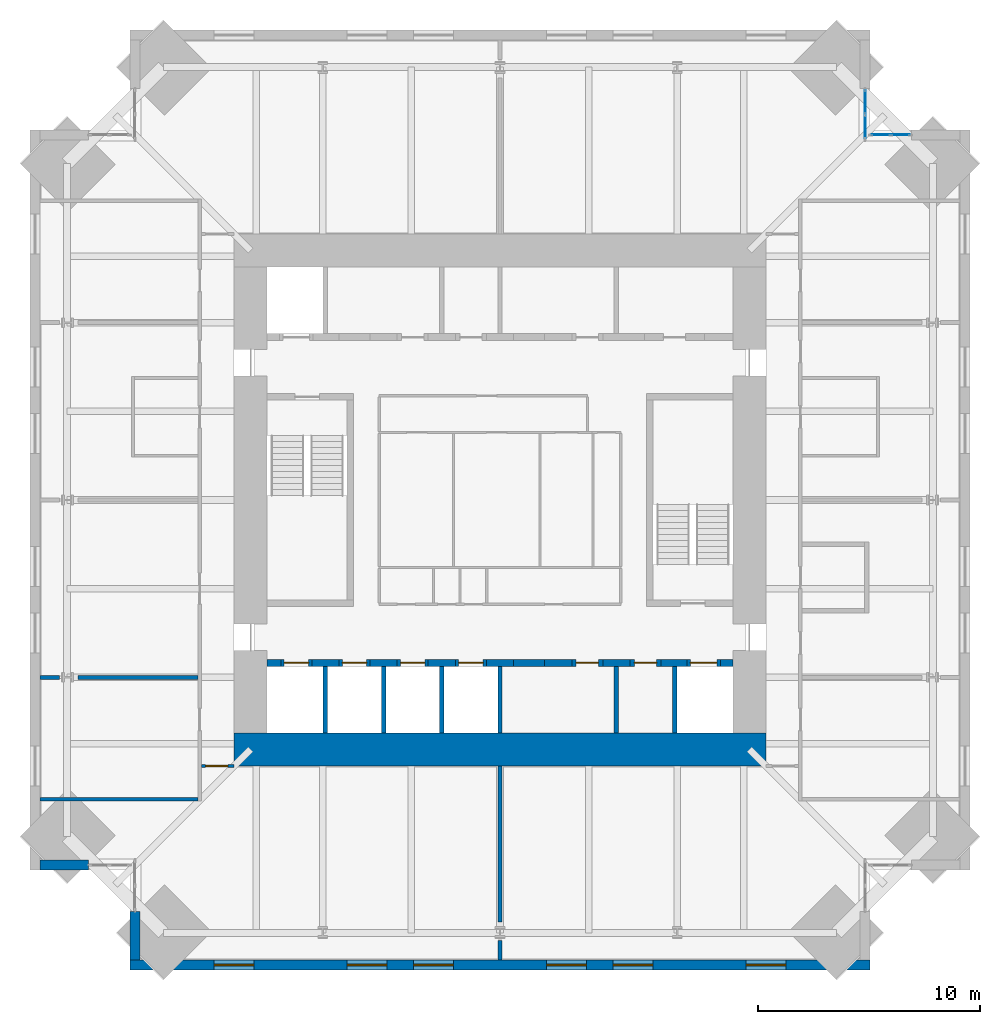
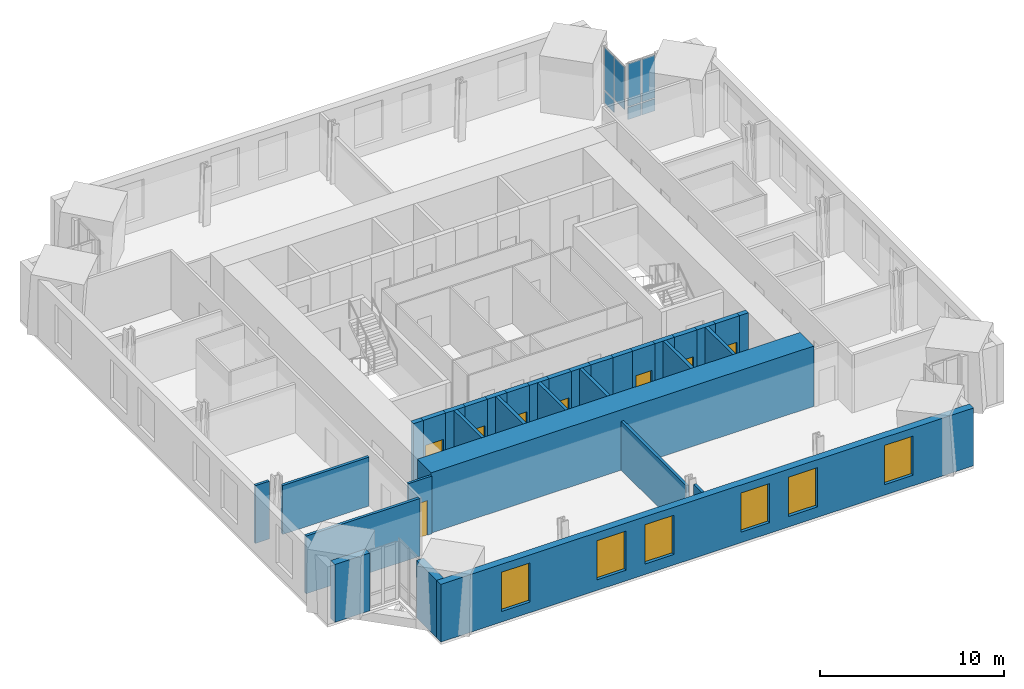
# One storey, part 10 of 15: 33 walls, 8 doors, 7 plates, 6 windows, 14 openings, 2 elements without a shape of their own.
"""IFC4 building model written with IfcOpenShell, lengths in metres."""

from ifc_helpers import new_model, si_unit, direction, frame, frame_2d, origin, origin_2d, place, context, subcontext, project, spatial, rectangle, extrude, material, layer, layer_set, type_object, element, fill, aggregate, save


model = new_model("IFC4")

# Units and contexts
model_context = context("Model", 3, precision=1e-05, world=origin(), true_north=direction((0.0, 1.0)))
body_context = subcontext(model_context, "Body", "Model", "MODEL_VIEW")
ifc_project = project(units=[si_unit("LENGTHUNIT", "METRE"), si_unit("AREAUNIT", "SQUARE_METRE"), si_unit("VOLUMEUNIT", "CUBIC_METRE"), si_unit("PLANEANGLEUNIT", "RADIAN"), si_unit("MASSUNIT", "GRAM", prefix="KILO")], contexts=[model_context])

# Site, building, storey
site_placement = place(None, origin())
site = spatial("IfcSite", under=ifc_project, at=site_placement, CompositionType="ELEMENT")
building_placement = place(site_placement, origin())
building = spatial("IfcBuilding", under=site, at=building_placement, Name="Peilmerk Tower", CompositionType="ELEMENT")
storey_placement = place(building_placement, frame((0.0, 0.0, 281.800048828125)))
storey = spatial("IfcBuildingStorey", under=building, at=storey_placement, Name="L63", CompositionType="ELEMENT", Elevation=281.800048828125)

# Curtain wall, plates
ifc_material_1 = material(Name="Aluminium stick curtain wall", Category="aluminium")
curtain_wall_type = type_object("IfcCurtainWallType", Name="CW4 stick curtain wall, 2250 module", PredefinedType="NOTDEFINED", material=ifc_material_1)
curtain_wall_1_placement = place(storey_placement, origin())
curtain_wall_1 = element("IfcCurtainWall", 1, at=curtain_wall_1_placement, inside=storey, type_object=curtain_wall_type, Name="Curtain wall CW4 NEA L63", PredefinedType="NOTDEFINED")
ifc_material_2 = material(Name="Clear insulated glazing unit", Category="glass")
ifc_layer_1 = layer(ifc_material_2, 0.028076171875)
ifc_layer_set_1 = layer_set([ifc_layer_1], Name="Clear insulated glazing unit")
plate_type = type_object("IfcPlateType", Name="CW4-P 28 glazed panel", PredefinedType="CURTAIN_PANEL", material=ifc_layer_set_1)
plate_1_placement = place(storey_placement, frame((16.47509765625, 16.83837890625, 0.932373046875), z_axis=(0.0, 0.0, 1.0), x_axis=(0.0, 1.0, 0.0)))
plate_1 = element("IfcPlate", 2, at=plate_1_placement, type_object=plate_type, Name="CW4 panel 1.2", PredefinedType="CURTAIN_PANEL", context=body_context, shape_type="SweptSolid", body=[
    extrude(rectangle(XDim=1.046875, YDim=0.028076171875, at=origin_2d()), origin(), (0.0, 0.0, 1.0), 2.83251953125),
])
plate_2_placement = place(storey_placement, frame((16.47509765625, 17.9501953125, 0.06494140625), z_axis=(0.0, 0.0, 1.0), x_axis=(0.0, 1.0, 0.0)))
plate_2 = element("IfcPlate", 3, at=plate_2_placement, type_object=plate_type, Name="CW4 panel 2.1", PredefinedType="CURTAIN_PANEL", context=body_context, shape_type="SweptSolid", body=[
    extrude(rectangle(XDim=1.046875, YDim=0.028076171875, at=origin_2d()), origin(), (0.0, 0.0, 1.0), 0.802490234375),
])
plate_3_placement = place(storey_placement, frame((16.47509765625, 17.9501953125, 0.932373046875), z_axis=(0.0, 0.0, 1.0), x_axis=(0.0, 1.0, 0.0)))
plate_3 = element("IfcPlate", 4, at=plate_3_placement, type_object=plate_type, Name="CW4 panel 2.2", PredefinedType="CURTAIN_PANEL", context=body_context, shape_type="SweptSolid", body=[
    extrude(rectangle(XDim=1.046875, YDim=0.028076171875, at=origin_2d()), origin(), (0.0, 0.0, 1.0), 2.83251953125),
])
aggregate(curtain_wall_1, [plate_1, plate_2, plate_3])

curtain_wall_2_placement = place(storey_placement, origin())
curtain_wall_2 = element("IfcCurtainWall", 5, at=curtain_wall_2_placement, inside=storey, type_object=curtain_wall_type, Name="Curtain wall CW4 NEB L63", PredefinedType="NOTDEFINED")
plate_4_placement = place(storey_placement, frame((17.176025390625, 16.47509765625, 0.06494140625), z_axis=(0.0, 0.0, 1.0), x_axis=(1.0, 0.0, 0.0)))
plate_4 = element("IfcPlate", 6, at=plate_4_placement, type_object=plate_type, Name="CW4 panel 1.1", PredefinedType="CURTAIN_PANEL", context=body_context, shape_type="SweptSolid", body=[
    extrude(rectangle(XDim=0.82177734375, YDim=0.028076171875, at=origin_2d()), origin(), (0.0, 0.0, 1.0), 0.802490234375),
])
plate_5_placement = place(storey_placement, frame((17.176025390625, 16.47509765625, 0.932373046875), z_axis=(0.0, 0.0, 1.0), x_axis=(1.0, 0.0, 0.0)))
plate_5 = element("IfcPlate", 7, at=plate_5_placement, type_object=plate_type, Name="CW4 panel 1.2", PredefinedType="CURTAIN_PANEL", context=body_context, shape_type="SweptSolid", body=[
    extrude(rectangle(XDim=0.82177734375, YDim=0.028076171875, at=origin_2d()), origin(), (0.0, 0.0, 1.0), 2.83251953125),
])
plate_6_placement = place(storey_placement, frame((18.062744140625, 16.47509765625, 0.06494140625), z_axis=(0.0, 0.0, 1.0), x_axis=(1.0, 0.0, 0.0)))
plate_6 = element("IfcPlate", 8, at=plate_6_placement, type_object=plate_type, Name="CW4 panel 2.1", PredefinedType="CURTAIN_PANEL", context=body_context, shape_type="SweptSolid", body=[
    extrude(rectangle(XDim=0.82177734375, YDim=0.028076171875, at=origin_2d()), origin(), (0.0, 0.0, 1.0), 0.802490234375),
])
plate_7_placement = place(storey_placement, frame((18.062744140625, 16.47509765625, 0.932373046875), z_axis=(0.0, 0.0, 1.0), x_axis=(1.0, 0.0, 0.0)))
plate_7 = element("IfcPlate", 9, at=plate_7_placement, type_object=plate_type, Name="CW4 panel 2.2", PredefinedType="CURTAIN_PANEL", context=body_context, shape_type="SweptSolid", body=[
    extrude(rectangle(XDim=0.82177734375, YDim=0.028076171875, at=origin_2d()), origin(), (0.0, 0.0, 1.0), 2.83251953125),
])
aggregate(curtain_wall_2, [plate_4, plate_5, plate_6, plate_7])

# Wall, openings, windows
ifc_material_3 = material(Name="Precast concrete C45/55, board-marked finish", Category="concrete")
ifc_layer_2 = layer(ifc_material_3, 0.449951171875)
ifc_layer_set_2 = layer_set([ifc_layer_2], Name="Precast concrete C45/55, board-marked finish")
wall_type_1 = type_object("IfcWallType", Name="EW1 450 precast concrete facade wall, board-marked", PredefinedType="SOLIDWALL", material=ifc_layer_set_2)
wall_1_placement = place(storey_placement, frame((-16.699951171875, -20.97509765625, 0.0), z_axis=(0.0, 0.0, 1.0), x_axis=(1.0, 0.0, 0.0)))
wall_1 = element("IfcWall", 10, at=wall_1_placement, inside=storey, type_object=wall_type_1, Name="Facade wall S L63", PredefinedType="SOLIDWALL", context=body_context, shape_type="SweptSolid", body=[
    extrude(rectangle(XDim=33.39990234375, YDim=0.449951171875, at=frame_2d((16.699951171875, 0.0))), origin(), (0.0, 0.0, 1.0), 3.829833984375),
])
opening_1_placement = place(wall_1_placement, frame((3.800048828125, 0.0, 0.699951171875)))
opening_1 = element("IfcOpeningElement", 11, at=opening_1_placement, cuts=wall_1, Name="Opening W1", PredefinedType="OPENING", context=body_context, shape_type="SweptSolid", body=[
    extrude(rectangle(XDim=1.800048828125, YDim=2.60009765625, at=frame_2d((0.89990234375, 1.300048828125))), frame((0.0, 0.23486328125, 0.0), z_axis=(0.0, -1.0, 0.0), x_axis=(1.0, 0.0, 0.0)), (0.0, 0.0, 1.0), 0.469970703125),
])
opening_2_placement = place(wall_1_placement, frame((9.800048828125, 0.0, 0.699951171875)))
opening_2 = element("IfcOpeningElement", 12, at=opening_2_placement, cuts=wall_1, Name="Opening W1", PredefinedType="OPENING", context=body_context, shape_type="SweptSolid", body=[
    extrude(rectangle(XDim=1.800048828125, YDim=2.60009765625, at=frame_2d((0.89990234375, 1.300048828125))), frame((0.0, 0.23486328125, 0.0), z_axis=(0.0, -1.0, 0.0), x_axis=(1.0, 0.0, 0.0)), (0.0, 0.0, 1.0), 0.469970703125),
])
opening_3_placement = place(wall_1_placement, frame((12.800048828125, 0.0, 0.699951171875)))
opening_3 = element("IfcOpeningElement", 13, at=opening_3_placement, cuts=wall_1, Name="Opening W1", PredefinedType="OPENING", context=body_context, shape_type="SweptSolid", body=[
    extrude(rectangle(XDim=1.800048828125, YDim=2.60009765625, at=frame_2d((0.89990234375, 1.300048828125))), frame((0.0, 0.23486328125, 0.0), z_axis=(0.0, -1.0, 0.0), x_axis=(1.0, 0.0, 0.0)), (0.0, 0.0, 1.0), 0.469970703125),
])
opening_4_placement = place(wall_1_placement, frame((18.800048828125, 0.0, 0.699951171875)))
opening_4 = element("IfcOpeningElement", 14, at=opening_4_placement, cuts=wall_1, Name="Opening W1", PredefinedType="OPENING", context=body_context, shape_type="SweptSolid", body=[
    extrude(rectangle(XDim=1.800048828125, YDim=2.60009765625, at=frame_2d((0.89990234375, 1.300048828125))), frame((0.0, 0.23486328125, 0.0), z_axis=(0.0, -1.0, 0.0), x_axis=(1.0, 0.0, 0.0)), (0.0, 0.0, 1.0), 0.469970703125),
])
opening_5_placement = place(wall_1_placement, frame((21.800048828125, 0.0, 0.699951171875)))
opening_5 = element("IfcOpeningElement", 15, at=opening_5_placement, cuts=wall_1, Name="Opening W1", PredefinedType="OPENING", context=body_context, shape_type="SweptSolid", body=[
    extrude(rectangle(XDim=1.800048828125, YDim=2.60009765625, at=frame_2d((0.89990234375, 1.300048828125))), frame((0.0, 0.23486328125, 0.0), z_axis=(0.0, -1.0, 0.0), x_axis=(1.0, 0.0, 0.0)), (0.0, 0.0, 1.0), 0.469970703125),
])
opening_6_placement = place(wall_1_placement, frame((27.800048828125, 0.0, 0.699951171875)))
opening_6 = element("IfcOpeningElement", 16, at=opening_6_placement, cuts=wall_1, Name="Opening W1", PredefinedType="OPENING", context=body_context, shape_type="SweptSolid", body=[
    extrude(rectangle(XDim=1.800048828125, YDim=2.60009765625, at=frame_2d((0.89990234375, 1.300048828125))), frame((0.0, 0.23486328125, 0.0), z_axis=(0.0, -1.0, 0.0), x_axis=(1.0, 0.0, 0.0)), (0.0, 0.0, 1.0), 0.469970703125),
])
ifc_material_4 = material(Name="Aluminium frame, clear double glazing", Category="aluminium")
window_type = type_object("IfcWindowType", Name="W1 1800x2600 office window", PartitioningType="SINGLE_PANEL", PredefinedType="WINDOW", material=ifc_material_4)
window_1_placement = place(opening_1_placement, origin())
window_1 = element("IfcWindow", 17, at=window_1_placement, inside=storey, type_object=window_type, Name="Window W1 L63", OverallHeight=2.60009765625, OverallWidth=1.800048828125, PartitioningType="SINGLE_PANEL", PredefinedType="WINDOW", context=body_context, shape_type="SweptSolid", body=[
    extrude(rectangle(XDim=1.800048828125, YDim=2.60009765625, at=frame_2d((0.89990234375, 1.300048828125))), frame((0.0, 0.030029296875, 0.0), z_axis=(0.0, -1.0, 0.0), x_axis=(1.0, 0.0, 0.0)), (0.0, 0.0, 1.0), 0.06005859375),
])
fill(opening_1, window_1)
window_2_placement = place(opening_2_placement, origin())
window_2 = element("IfcWindow", 18, at=window_2_placement, inside=storey, type_object=window_type, Name="Window W1 L63", OverallHeight=2.60009765625, OverallWidth=1.800048828125, PartitioningType="SINGLE_PANEL", PredefinedType="WINDOW", context=body_context, shape_type="SweptSolid", body=[
    extrude(rectangle(XDim=1.800048828125, YDim=2.60009765625, at=frame_2d((0.89990234375, 1.300048828125))), frame((0.0, 0.030029296875, 0.0), z_axis=(0.0, -1.0, 0.0), x_axis=(1.0, 0.0, 0.0)), (0.0, 0.0, 1.0), 0.06005859375),
])
fill(opening_2, window_2)
window_3_placement = place(opening_3_placement, origin())
window_3 = element("IfcWindow", 19, at=window_3_placement, inside=storey, type_object=window_type, Name="Window W1 L63", OverallHeight=2.60009765625, OverallWidth=1.800048828125, PartitioningType="SINGLE_PANEL", PredefinedType="WINDOW", context=body_context, shape_type="SweptSolid", body=[
    extrude(rectangle(XDim=1.800048828125, YDim=2.60009765625, at=frame_2d((0.89990234375, 1.300048828125))), frame((0.0, 0.030029296875, 0.0), z_axis=(0.0, -1.0, 0.0), x_axis=(1.0, 0.0, 0.0)), (0.0, 0.0, 1.0), 0.06005859375),
])
fill(opening_3, window_3)
window_4_placement = place(opening_4_placement, origin())
window_4 = element("IfcWindow", 20, at=window_4_placement, inside=storey, type_object=window_type, Name="Window W1 L63", OverallHeight=2.60009765625, OverallWidth=1.800048828125, PartitioningType="SINGLE_PANEL", PredefinedType="WINDOW", context=body_context, shape_type="SweptSolid", body=[
    extrude(rectangle(XDim=1.800048828125, YDim=2.60009765625, at=frame_2d((0.89990234375, 1.300048828125))), frame((0.0, 0.030029296875, 0.0), z_axis=(0.0, -1.0, 0.0), x_axis=(1.0, 0.0, 0.0)), (0.0, 0.0, 1.0), 0.06005859375),
])
fill(opening_4, window_4)
window_5_placement = place(opening_5_placement, origin())
window_5 = element("IfcWindow", 21, at=window_5_placement, inside=storey, type_object=window_type, Name="Window W1 L63", OverallHeight=2.60009765625, OverallWidth=1.800048828125, PartitioningType="SINGLE_PANEL", PredefinedType="WINDOW", context=body_context, shape_type="SweptSolid", body=[
    extrude(rectangle(XDim=1.800048828125, YDim=2.60009765625, at=frame_2d((0.89990234375, 1.300048828125))), frame((0.0, 0.030029296875, 0.0), z_axis=(0.0, -1.0, 0.0), x_axis=(1.0, 0.0, 0.0)), (0.0, 0.0, 1.0), 0.06005859375),
])
fill(opening_5, window_5)
window_6_placement = place(opening_6_placement, origin())
window_6 = element("IfcWindow", 22, at=window_6_placement, inside=storey, type_object=window_type, Name="Window W1 L63", OverallHeight=2.60009765625, OverallWidth=1.800048828125, PartitioningType="SINGLE_PANEL", PredefinedType="WINDOW", context=body_context, shape_type="SweptSolid", body=[
    extrude(rectangle(XDim=1.800048828125, YDim=2.60009765625, at=frame_2d((0.89990234375, 1.300048828125))), frame((0.0, 0.030029296875, 0.0), z_axis=(0.0, -1.0, 0.0), x_axis=(1.0, 0.0, 0.0)), (0.0, 0.0, 1.0), 0.06005859375),
])
fill(opening_6, window_6)

# Walls
for number, where, z_axis, x_axis, name in (
    (23, (-16.47509765625, -18.5537109375, 0.0), (0.0, 0.0, 1.0), (0.0, -1.0, 0.0), "Facade wall SWA L63"),
    (24, (-18.5537109375, -16.47509765625, 0.0), (0.0, 0.0, 1.0), (-1.0, 0.0, 0.0), "Facade wall SWB L63"),
):
    element("IfcWall", number, at=place(storey_placement, frame(where, z_axis=z_axis, x_axis=x_axis)), inside=storey, type_object=wall_type_1, Name=name, PredefinedType="SOLIDWALL", context=body_context, shape_type="SweptSolid", body=[
        extrude(rectangle(XDim=2.1962890625, YDim=0.449951171875, at=frame_2d((1.09814453125, 0.0))), origin(), (0.0, 0.0, 1.0), 3.829833984375),
    ])

# Wall, opening, door
ifc_material_5 = material(Name="Calcium silicate block", Category="masonry")
ifc_layer_3 = layer(ifc_material_5, 0.14990234375)
ifc_layer_set_3 = layer_set([ifc_layer_3], Name="Calcium silicate block")
wall_type_2 = type_object("IfcWallType", Name="IW1 150 corridor partition, EI 60", PredefinedType="PARTITIONING", material=ifc_layer_set_3)
wall_2_placement = place(storey_placement, frame((-12.0, -12.0, 0.0), z_axis=(0.0, 0.0, 1.0), x_axis=(-1.0, 0.0, 0.0)))
wall_2 = element("IfcWall", 25, at=wall_2_placement, inside=storey, type_object=wall_type_2, Name="Corridor wall SW L63", PredefinedType="PARTITIONING", context=body_context, shape_type="SweptSolid", body=[
    extrude(rectangle(XDim=1.47509765625, YDim=0.14990234375, at=frame_2d((0.737548828125, 0.0))), origin(), (0.0, 0.0, 1.0), 3.829833984375),
])
opening_7_placement = place(wall_2_placement, frame((0.27490234375, 0.0, 0.0)))
opening_7 = element("IfcOpeningElement", 26, at=opening_7_placement, cuts=wall_2, Name="Opening D1", PredefinedType="OPENING", context=body_context, shape_type="SweptSolid", body=[
    extrude(rectangle(XDim=1.0, YDim=2.300048828125, at=frame_2d((0.5, 1.14990234375))), frame((0.0, 0.0849609375, 0.0), z_axis=(0.0, -1.0, 0.0), x_axis=(1.0, 0.0, 0.0)), (0.0, 0.0, 1.0), 0.169921875),
])
ifc_material_6 = material(Name="Timber door in steel frame", Category="steel")
door_type_1 = type_object("IfcDoorType", Name="D1 1000x2300 room door, EI2 30", OperationType="SINGLE_SWING_LEFT", PredefinedType="DOOR", material=ifc_material_6)
door_1_placement = place(opening_7_placement, origin())
door_1 = element("IfcDoor", 27, at=door_1_placement, inside=storey, type_object=door_type_1, Name="Door Office L63", OperationType="SINGLE_SWING_LEFT", OverallHeight=2.300048828125, OverallWidth=1.0, PredefinedType="DOOR", context=body_context, shape_type="SweptSolid", body=[
    extrude(rectangle(XDim=1.0, YDim=2.300048828125, at=frame_2d((0.5, 1.14990234375))), frame((0.0, 0.02490234375, 0.0), z_axis=(0.0, -1.0, 0.0), x_axis=(1.0, 0.0, 0.0)), (0.0, 0.0, 1.0), 0.050048828125),
])
fill(opening_7, door_1)

# Walls
ifc_layer_4 = layer(ifc_material_5, 0.175048828125)
ifc_layer_set_4 = layer_set([ifc_layer_4], Name="Calcium silicate block")
wall_type_3 = type_object("IfcWallType", Name="IW8 175 tenant separating wall, EI 60", PredefinedType="PARTITIONING", material=ifc_layer_set_4)
wall_3_placement = place(storey_placement, frame((-13.625, -13.5, 0.0), z_axis=(0.0, 0.0, 1.0), x_axis=(-1.0, 0.0, 0.0)))
element("IfcWall", 28, at=wall_3_placement, inside=storey, type_object=wall_type_3, Name="Tenant separating wall SW L63", PredefinedType="PARTITIONING", context=body_context, shape_type="SweptSolid", body=[
    extrude(rectangle(XDim=7.125, YDim=0.175048828125, at=frame_2d((3.5625, 0.0))), origin(), (0.0, 0.0, 1.0), 3.829833984375),
])
wall_4_placement = place(storey_placement, frame((0.0, -12.0, 0.0), z_axis=(0.0, 0.0, 1.0), x_axis=(0.0, -1.0, 0.0)))
element("IfcWall", 29, at=wall_4_placement, inside=storey, type_object=wall_type_3, Name="Tenant separating wall S1 L63", PredefinedType="PARTITIONING", context=body_context, shape_type="SweptSolid", body=[
    extrude(rectangle(XDim=7.04296875, YDim=0.175048828125, at=frame_2d((3.521484375, 0.0))), origin(), (0.0, 0.0, 1.0), 3.239990234375),
])
wall_5_placement = place(storey_placement, frame((0.0, -19.863525390625, 0.0), z_axis=(0.0, 0.0, 1.0), x_axis=(0.0, -1.0, 0.0)))
element("IfcWall", 30, at=wall_5_placement, inside=storey, type_object=wall_type_3, Name="Tenant separating wall S1b L63", PredefinedType="PARTITIONING", context=body_context, shape_type="SweptSolid", body=[
    extrude(rectangle(XDim=0.886474609375, YDim=0.175048828125, at=frame_2d((0.443359375, 0.0))), origin(), (0.0, 0.0, 1.0), 3.829833984375),
])
wall_6_placement = place(storey_placement, frame((-13.625, -8.0, 0.0), z_axis=(0.0, 0.0, 1.0), x_axis=(-1.0, 0.0, 0.0)))
element("IfcWall", 31, at=wall_6_placement, inside=storey, type_object=wall_type_3, Name="Tenant separating wall W1 L63", PredefinedType="PARTITIONING", context=body_context, shape_type="SweptSolid", body=[
    extrude(rectangle(XDim=5.41796875, YDim=0.175048828125, at=frame_2d((2.708984375, 0.0))), origin(), (0.0, 0.0, 1.0), 3.239990234375),
])
wall_7_placement = place(storey_placement, frame((-19.863525390625, -8.0, 0.0), z_axis=(0.0, 0.0, 1.0), x_axis=(-1.0, 0.0, 0.0)))
element("IfcWall", 32, at=wall_7_placement, inside=storey, type_object=wall_type_3, Name="Tenant separating wall W1b L63", PredefinedType="PARTITIONING", context=body_context, shape_type="SweptSolid", body=[
    extrude(rectangle(XDim=0.886474609375, YDim=0.175048828125, at=frame_2d((0.443359375, 0.0))), origin(), (0.0, 0.0, 1.0), 3.829833984375),
])
ifc_layer_5 = layer(ifc_material_5, 0.199951171875)
ifc_layer_set_5 = layer_set([ifc_layer_5], Name="Calcium silicate block")
wall_type_4 = type_object("IfcWallType", Name="SH1 200 shaft dividing wall, EI 120", PredefinedType="PARTITIONING", material=ifc_layer_set_5)
for number, where, z_axis, x_axis, name in (
    (33, (-7.875, -10.5, 0.0), (0.0, 0.0, 1.0), (0.0, 1.0, 0.0), "Shaft wall S C4 L63"),
    (34, (-5.25, -10.5, 0.0), (0.0, 0.0, 1.0), (0.0, 1.0, 0.0), "Shaft wall S C3 L63"),
    (35, (-2.625, -10.5, 0.0), (0.0, 0.0, 1.0), (0.0, 1.0, 0.0), "Shaft wall S C2 L63"),
    (36, (0.0, -10.5, 0.0), (0.0, 0.0, 1.0), (0.0, 1.0, 0.0), "Shaft wall S C1 L63"),
    (37, (5.25, -10.5, 0.0), (0.0, 0.0, 1.0), (0.0, 1.0, 0.0), "Shaft wall S B2 L63"),
    (38, (7.875, -10.5, 0.0), (0.0, 0.0, 1.0), (0.0, 1.0, 0.0), "Shaft wall S B1 L63"),
):
    element("IfcWall", number, at=place(storey_placement, frame(where, z_axis=z_axis, x_axis=x_axis)), inside=storey, type_object=wall_type_4, Name=name, PredefinedType="PARTITIONING", context=body_context, shape_type="SweptSolid", body=[
        extrude(rectangle(XDim=3.0, YDim=0.199951171875, at=frame_2d((1.5, 0.0))), origin(), (0.0, 0.0, 1.0), 4.0),
    ])

# Wall, opening, door
ifc_layer_6 = layer(ifc_material_5, 0.300048828125)
ifc_layer_set_6 = layer_set([ifc_layer_6], Name="Calcium silicate block")
wall_type_5 = type_object("IfcWallType", Name="SH2 300 lift landing door panel, EI 120", PredefinedType="PARTITIONING", material=ifc_layer_set_6)
wall_8_placement = place(storey_placement, frame((-9.887451171875, -7.35009765625, 0.0), z_axis=(0.0, 0.0, 1.0), x_axis=(1.0, 0.0, 0.0)))
wall_8 = element("IfcWall", 39, at=wall_8_placement, inside=storey, type_object=wall_type_5, Name="Lift door panel S C4 L63", PredefinedType="PARTITIONING", context=body_context, shape_type="SweptSolid", body=[
    extrude(rectangle(XDim=1.39990234375, YDim=0.300048828125, at=frame_2d((0.699951171875, 0.0))), origin(), (0.0, 0.0, 1.0), 4.0),
])
opening_8_placement = place(wall_8_placement, frame((0.14990234375, 0.0, 0.0)))
opening_8 = element("IfcOpeningElement", 40, at=opening_8_placement, cuts=wall_8, Name="Opening LD1", PredefinedType="OPENING", context=body_context, shape_type="SweptSolid", body=[
    extrude(rectangle(XDim=1.10009765625, YDim=2.300048828125, at=frame_2d((0.550048828125, 1.14990234375))), frame((0.0, 0.159912109375, 0.0), z_axis=(0.0, -1.0, 0.0), x_axis=(1.0, 0.0, 0.0)), (0.0, 0.0, 1.0), 0.320068359375),
])
ifc_material_7 = material(Name="Stainless steel landing door", Category="steel")
door_type_2 = type_object("IfcDoorType", Name="LD1 1100x2300 lift landing door, sliding, EI2 60", OperationType="SLIDING_TO_LEFT", PredefinedType="DOOR", material=ifc_material_7)
door_2_placement = place(opening_8_placement, origin())
door_2 = element("IfcDoor", 41, at=door_2_placement, inside=storey, type_object=door_type_2, Name="Lift landing door C4 L63", OperationType="SLIDING_TO_LEFT", OverallHeight=2.300048828125, OverallWidth=1.10009765625, PredefinedType="DOOR", context=body_context, shape_type="SweptSolid", body=[
    extrude(rectangle(XDim=1.10009765625, YDim=2.300048828125, at=frame_2d((0.550048828125, 1.14990234375))), frame((0.0, 0.02490234375, 0.0), z_axis=(0.0, -1.0, 0.0), x_axis=(1.0, 0.0, 0.0)), (0.0, 0.0, 1.0), 0.050048828125),
])
fill(opening_8, door_2)

wall_9_placement = place(storey_placement, frame((-7.262451171875, -7.35009765625, 0.0), z_axis=(0.0, 0.0, 1.0), x_axis=(1.0, 0.0, 0.0)))
wall_9 = element("IfcWall", 42, at=wall_9_placement, inside=storey, type_object=wall_type_5, Name="Lift door panel S C3 L63", PredefinedType="PARTITIONING", context=body_context, shape_type="SweptSolid", body=[
    extrude(rectangle(XDim=1.39990234375, YDim=0.300048828125, at=frame_2d((0.699951171875, 0.0))), origin(), (0.0, 0.0, 1.0), 4.0),
])
opening_9_placement = place(wall_9_placement, frame((0.14990234375, 0.0, 0.0)))
opening_9 = element("IfcOpeningElement", 43, at=opening_9_placement, cuts=wall_9, Name="Opening LD1", PredefinedType="OPENING", context=body_context, shape_type="SweptSolid", body=[
    extrude(rectangle(XDim=1.10009765625, YDim=2.300048828125, at=frame_2d((0.550048828125, 1.14990234375))), frame((0.0, 0.159912109375, 0.0), z_axis=(0.0, -1.0, 0.0), x_axis=(1.0, 0.0, 0.0)), (0.0, 0.0, 1.0), 0.320068359375),
])
door_3_placement = place(opening_9_placement, origin())
door_3 = element("IfcDoor", 44, at=door_3_placement, inside=storey, type_object=door_type_2, Name="Lift landing door C3 L63", OperationType="SLIDING_TO_LEFT", OverallHeight=2.300048828125, OverallWidth=1.10009765625, PredefinedType="DOOR", context=body_context, shape_type="SweptSolid", body=[
    extrude(rectangle(XDim=1.10009765625, YDim=2.300048828125, at=frame_2d((0.550048828125, 1.14990234375))), frame((0.0, 0.02490234375, 0.0), z_axis=(0.0, -1.0, 0.0), x_axis=(1.0, 0.0, 0.0)), (0.0, 0.0, 1.0), 0.050048828125),
])
fill(opening_9, door_3)

wall_10_placement = place(storey_placement, frame((-4.637451171875, -7.35009765625, 0.0), z_axis=(0.0, 0.0, 1.0), x_axis=(1.0, 0.0, 0.0)))
wall_10 = element("IfcWall", 45, at=wall_10_placement, inside=storey, type_object=wall_type_5, Name="Lift door panel S C2 L63", PredefinedType="PARTITIONING", context=body_context, shape_type="SweptSolid", body=[
    extrude(rectangle(XDim=1.39990234375, YDim=0.300048828125, at=frame_2d((0.699951171875, 0.0))), origin(), (0.0, 0.0, 1.0), 4.0),
])
opening_10_placement = place(wall_10_placement, frame((0.14990234375, 0.0, 0.0)))
opening_10 = element("IfcOpeningElement", 46, at=opening_10_placement, cuts=wall_10, Name="Opening LD1", PredefinedType="OPENING", context=body_context, shape_type="SweptSolid", body=[
    extrude(rectangle(XDim=1.10009765625, YDim=2.300048828125, at=frame_2d((0.550048828125, 1.14990234375))), frame((0.0, 0.159912109375, 0.0), z_axis=(0.0, -1.0, 0.0), x_axis=(1.0, 0.0, 0.0)), (0.0, 0.0, 1.0), 0.320068359375),
])
door_4_placement = place(opening_10_placement, origin())
door_4 = element("IfcDoor", 47, at=door_4_placement, inside=storey, type_object=door_type_2, Name="Lift landing door C2 L63", OperationType="SLIDING_TO_LEFT", OverallHeight=2.300048828125, OverallWidth=1.10009765625, PredefinedType="DOOR", context=body_context, shape_type="SweptSolid", body=[
    extrude(rectangle(XDim=1.10009765625, YDim=2.300048828125, at=frame_2d((0.550048828125, 1.14990234375))), frame((0.0, 0.02490234375, 0.0), z_axis=(0.0, -1.0, 0.0), x_axis=(1.0, 0.0, 0.0)), (0.0, 0.0, 1.0), 0.050048828125),
])
fill(opening_10, door_4)

wall_11_placement = place(storey_placement, frame((-2.012451171875, -7.35009765625, 0.0), z_axis=(0.0, 0.0, 1.0), x_axis=(1.0, 0.0, 0.0)))
wall_11 = element("IfcWall", 48, at=wall_11_placement, inside=storey, type_object=wall_type_5, Name="Lift door panel S C1 L63", PredefinedType="PARTITIONING", context=body_context, shape_type="SweptSolid", body=[
    extrude(rectangle(XDim=1.39990234375, YDim=0.300048828125, at=frame_2d((0.699951171875, 0.0))), origin(), (0.0, 0.0, 1.0), 4.0),
])
opening_11_placement = place(wall_11_placement, frame((0.14990234375, 0.0, 0.0)))
opening_11 = element("IfcOpeningElement", 49, at=opening_11_placement, cuts=wall_11, Name="Opening LD1", PredefinedType="OPENING", context=body_context, shape_type="SweptSolid", body=[
    extrude(rectangle(XDim=1.10009765625, YDim=2.300048828125, at=frame_2d((0.550048828125, 1.14990234375))), frame((0.0, 0.159912109375, 0.0), z_axis=(0.0, -1.0, 0.0), x_axis=(1.0, 0.0, 0.0)), (0.0, 0.0, 1.0), 0.320068359375),
])
door_5_placement = place(opening_11_placement, origin())
door_5 = element("IfcDoor", 50, at=door_5_placement, inside=storey, type_object=door_type_2, Name="Lift landing door C1 L63", OperationType="SLIDING_TO_LEFT", OverallHeight=2.300048828125, OverallWidth=1.10009765625, PredefinedType="DOOR", context=body_context, shape_type="SweptSolid", body=[
    extrude(rectangle(XDim=1.10009765625, YDim=2.300048828125, at=frame_2d((0.550048828125, 1.14990234375))), frame((0.0, 0.02490234375, 0.0), z_axis=(0.0, -1.0, 0.0), x_axis=(1.0, 0.0, 0.0)), (0.0, 0.0, 1.0), 0.050048828125),
])
fill(opening_11, door_5)

# Wall
wall_12_placement = place(storey_placement, frame((0.612548828125, -7.35009765625, 0.0), z_axis=(0.0, 0.0, 1.0), x_axis=(1.0, 0.0, 0.0)))
element("IfcWall", 51, at=wall_12_placement, inside=storey, type_object=wall_type_5, Name="Lift door panel S B3 L63", PredefinedType="PARTITIONING", context=body_context, shape_type="SweptSolid", body=[
    extrude(rectangle(XDim=1.39990234375, YDim=0.300048828125, at=frame_2d((0.699951171875, 0.0))), origin(), (0.0, 0.0, 1.0), 4.0),
])

# Wall, opening, door
wall_13_placement = place(storey_placement, frame((3.237548828125, -7.35009765625, 0.0), z_axis=(0.0, 0.0, 1.0), x_axis=(1.0, 0.0, 0.0)))
wall_13 = element("IfcWall", 52, at=wall_13_placement, inside=storey, type_object=wall_type_5, Name="Lift door panel S B2 L63", PredefinedType="PARTITIONING", context=body_context, shape_type="SweptSolid", body=[
    extrude(rectangle(XDim=1.39990234375, YDim=0.300048828125, at=frame_2d((0.699951171875, 0.0))), origin(), (0.0, 0.0, 1.0), 4.0),
])
opening_12_placement = place(wall_13_placement, frame((0.199951171875, 0.0, 0.0)))
opening_12 = element("IfcOpeningElement", 53, at=opening_12_placement, cuts=wall_13, Name="Opening D10", PredefinedType="OPENING", context=body_context, shape_type="SweptSolid", body=[
    extrude(rectangle(XDim=1.0, YDim=2.300048828125, at=frame_2d((0.5, 1.14990234375))), frame((0.0, 0.159912109375, 0.0), z_axis=(0.0, -1.0, 0.0), x_axis=(1.0, 0.0, 0.0)), (0.0, 0.0, 1.0), 0.320068359375),
])
ifc_material_8 = material(Name="Steel door in steel frame", Category="steel")
door_type_3 = type_object("IfcDoorType", Name="D10 1000x2300 core room door, EI2 60", OperationType="SINGLE_SWING_RIGHT", PredefinedType="DOOR", material=ifc_material_8)
door_6_placement = place(opening_12_placement, frame((1.0, 0.0, 0.0), z_axis=(0.0, 0.0, 1.0), x_axis=(-1.0, 0.0, 0.0)))
door_6 = element("IfcDoor", 54, at=door_6_placement, inside=storey, type_object=door_type_3, Name="Door Staff room L63", OperationType="SINGLE_SWING_RIGHT", OverallHeight=2.300048828125, OverallWidth=1.0, PredefinedType="DOOR", context=body_context, shape_type="SweptSolid", body=[
    extrude(rectangle(XDim=1.0, YDim=2.300048828125, at=frame_2d((0.5, 1.14990234375))), frame((0.0, 0.02490234375, 0.0), z_axis=(0.0, -1.0, 0.0), x_axis=(1.0, 0.0, 0.0)), (0.0, 0.0, 1.0), 0.050048828125),
])
fill(opening_12, door_6)

wall_14_placement = place(storey_placement, frame((5.862548828125, -7.35009765625, 0.0), z_axis=(0.0, 0.0, 1.0), x_axis=(1.0, 0.0, 0.0)))
wall_14 = element("IfcWall", 55, at=wall_14_placement, inside=storey, type_object=wall_type_5, Name="Lift door panel S B1 L63", PredefinedType="PARTITIONING", context=body_context, shape_type="SweptSolid", body=[
    extrude(rectangle(XDim=1.39990234375, YDim=0.300048828125, at=frame_2d((0.699951171875, 0.0))), origin(), (0.0, 0.0, 1.0), 4.0),
])
opening_13_placement = place(wall_14_placement, frame((0.199951171875, 0.0, 0.0)))
opening_13 = element("IfcOpeningElement", 56, at=opening_13_placement, cuts=wall_14, Name="Opening D10", PredefinedType="OPENING", context=body_context, shape_type="SweptSolid", body=[
    extrude(rectangle(XDim=1.0, YDim=2.300048828125, at=frame_2d((0.5, 1.14990234375))), frame((0.0, 0.159912109375, 0.0), z_axis=(0.0, -1.0, 0.0), x_axis=(1.0, 0.0, 0.0)), (0.0, 0.0, 1.0), 0.320068359375),
])
door_7_placement = place(opening_13_placement, frame((1.0, 0.0, 0.0), z_axis=(0.0, 0.0, 1.0), x_axis=(-1.0, 0.0, 0.0)))
door_7 = element("IfcDoor", 57, at=door_7_placement, inside=storey, type_object=door_type_3, Name="Door Electrical room L63", OperationType="SINGLE_SWING_RIGHT", OverallHeight=2.300048828125, OverallWidth=1.0, PredefinedType="DOOR", context=body_context, shape_type="SweptSolid", body=[
    extrude(rectangle(XDim=1.0, YDim=2.300048828125, at=frame_2d((0.5, 1.14990234375))), frame((0.0, 0.02490234375, 0.0), z_axis=(0.0, -1.0, 0.0), x_axis=(1.0, 0.0, 0.0)), (0.0, 0.0, 1.0), 0.050048828125),
])
fill(opening_13, door_7)

wall_15_placement = place(storey_placement, frame((8.4375, -7.35009765625, 0.0), z_axis=(0.0, 0.0, 1.0), x_axis=(1.0, 0.0, 0.0)))
wall_15 = element("IfcWall", 58, at=wall_15_placement, inside=storey, type_object=wall_type_5, Name="Lift door panel S FL2 L63", PredefinedType="PARTITIONING", context=body_context, shape_type="SweptSolid", body=[
    extrude(rectangle(XDim=1.5, YDim=0.300048828125, at=frame_2d((0.75, 0.0))), origin(), (0.0, 0.0, 1.0), 4.0),
])
opening_14_placement = place(wall_15_placement, frame((0.14990234375, 0.0, 0.0)))
opening_14 = element("IfcOpeningElement", 59, at=opening_14_placement, cuts=wall_15, Name="Opening LD2", PredefinedType="OPENING", context=body_context, shape_type="SweptSolid", body=[
    extrude(rectangle(XDim=1.199951171875, YDim=2.300048828125, at=frame_2d((0.60009765625, 1.14990234375))), frame((0.0, 0.159912109375, 0.0), z_axis=(0.0, -1.0, 0.0), x_axis=(1.0, 0.0, 0.0)), (0.0, 0.0, 1.0), 0.320068359375),
])
door_type_4 = type_object("IfcDoorType", Name="LD2 1200x2300 lift landing door, sliding, EI2 60", OperationType="SLIDING_TO_LEFT", PredefinedType="DOOR", material=ifc_material_7)
door_8_placement = place(opening_14_placement, origin())
door_8 = element("IfcDoor", 60, at=door_8_placement, inside=storey, type_object=door_type_4, Name="Lift landing door FL2 L63", OperationType="SLIDING_TO_LEFT", OverallHeight=2.300048828125, OverallWidth=1.199951171875, PredefinedType="DOOR", context=body_context, shape_type="SweptSolid", body=[
    extrude(rectangle(XDim=1.199951171875, YDim=2.300048828125, at=frame_2d((0.60009765625, 1.14990234375))), frame((0.0, 0.02490234375, 0.0), z_axis=(0.0, -1.0, 0.0), x_axis=(1.0, 0.0, 0.0)), (0.0, 0.0, 1.0), 0.050048828125),
])
fill(opening_14, door_8)

# Walls
ifc_material_9 = material(Name="Concrete C55/67", Category="concrete")
ifc_layer_7 = layer(ifc_material_9, 1.5)
ifc_layer_set_7 = layer_set([ifc_layer_7], Name="Concrete C55/67")
wall_type_6 = type_object("IfcWallType", Name="SW1 1500 core wall", PredefinedType="SHEAR", material=ifc_layer_set_7)
wall_16_placement = place(storey_placement, frame((12.0, -11.25, 0.0), z_axis=(0.0, 0.0, 1.0), x_axis=(-1.0, 0.0, 0.0)))
element("IfcWall", 61, at=wall_16_placement, inside=storey, type_object=wall_type_6, Name="Core wall S L63", PredefinedType="SHEAR", context=body_context, shape_type="SweptSolid", body=[
    extrude(rectangle(XDim=24.0, YDim=1.5, at=frame_2d((12.0, 0.0))), origin(), (0.0, 0.0, 1.0), 4.0),
])
ifc_layer_8 = layer(ifc_material_9, 0.300048828125)
ifc_layer_set_8 = layer_set([ifc_layer_8], Name="Concrete C55/67")
wall_type_7 = type_object("IfcWallType", Name="SW2 300 lift bank pier", PredefinedType="SHEAR", material=ifc_layer_set_8)
wall_17_placement = place(storey_placement, frame((-10.5, -7.35009765625, 0.0), z_axis=(0.0, 0.0, 1.0), x_axis=(1.0, 0.0, 0.0)))
element("IfcWall", 62, at=wall_17_placement, inside=storey, type_object=wall_type_7, Name="Lift bank pier S L63", PredefinedType="SHEAR", context=body_context, shape_type="SweptSolid", body=[
    extrude(rectangle(XDim=0.612548828125, YDim=0.300048828125, at=frame_2d((0.30615234375, 0.0))), origin(), (0.0, 0.0, 1.0), 4.0),
])
for number, where, z_axis, x_axis, name in (
    (63, (-8.487548828125, -7.35009765625, 0.0), (0.0, 0.0, 1.0), (1.0, 0.0, 0.0), "Lift bank pier S L63"),
    (64, (-5.862548828125, -7.35009765625, 0.0), (0.0, 0.0, 1.0), (1.0, 0.0, 0.0), "Lift bank pier S L63"),
    (65, (-3.237548828125, -7.35009765625, 0.0), (0.0, 0.0, 1.0), (1.0, 0.0, 0.0), "Lift bank pier S L63"),
    (66, (-0.612548828125, -7.35009765625, 0.0), (0.0, 0.0, 1.0), (1.0, 0.0, 0.0), "Lift bank pier S L63"),
    (67, (2.012451171875, -7.35009765625, 0.0), (0.0, 0.0, 1.0), (1.0, 0.0, 0.0), "Lift bank pier S L63"),
    (68, (4.637451171875, -7.35009765625, 0.0), (0.0, 0.0, 1.0), (1.0, 0.0, 0.0), "Lift bank pier S L63"),
):
    element("IfcWall", number, at=place(storey_placement, frame(where, z_axis=z_axis, x_axis=x_axis)), inside=storey, type_object=wall_type_7, Name=name, PredefinedType="SHEAR", context=body_context, shape_type="SweptSolid", body=[
        extrude(rectangle(XDim=1.22509765625, YDim=0.300048828125, at=frame_2d((0.612548828125, 0.0))), origin(), (0.0, 0.0, 1.0), 4.0),
    ])
wall_18_placement = place(storey_placement, frame((7.262451171875, -7.35009765625, 0.0), z_axis=(0.0, 0.0, 1.0), x_axis=(1.0, 0.0, 0.0)))
element("IfcWall", 69, at=wall_18_placement, inside=storey, type_object=wall_type_7, Name="Lift bank pier S L63", PredefinedType="SHEAR", context=body_context, shape_type="SweptSolid", body=[
    extrude(rectangle(XDim=1.175048828125, YDim=0.300048828125, at=frame_2d((0.58740234375, 0.0))), origin(), (0.0, 0.0, 1.0), 4.0),
])
wall_19_placement = place(storey_placement, frame((9.9375, -7.35009765625, 0.0), z_axis=(0.0, 0.0, 1.0), x_axis=(1.0, 0.0, 0.0)))
element("IfcWall", 70, at=wall_19_placement, inside=storey, type_object=wall_type_7, Name="Lift bank pier S L63", PredefinedType="SHEAR", context=body_context, shape_type="SweptSolid", body=[
    extrude(rectangle(XDim=0.5625, YDim=0.300048828125, at=frame_2d((0.28125, 0.0))), origin(), (0.0, 0.0, 1.0), 4.0),
])

save(model, "model.ifc")
